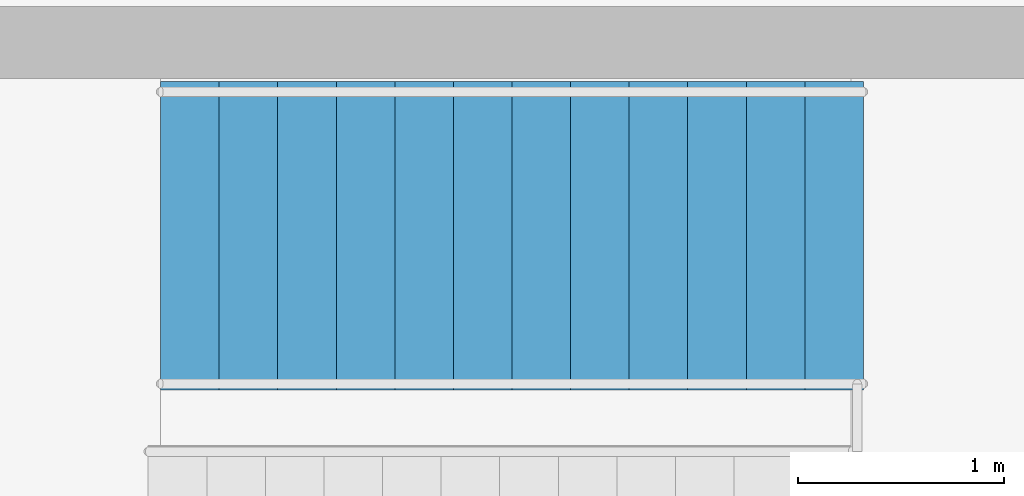
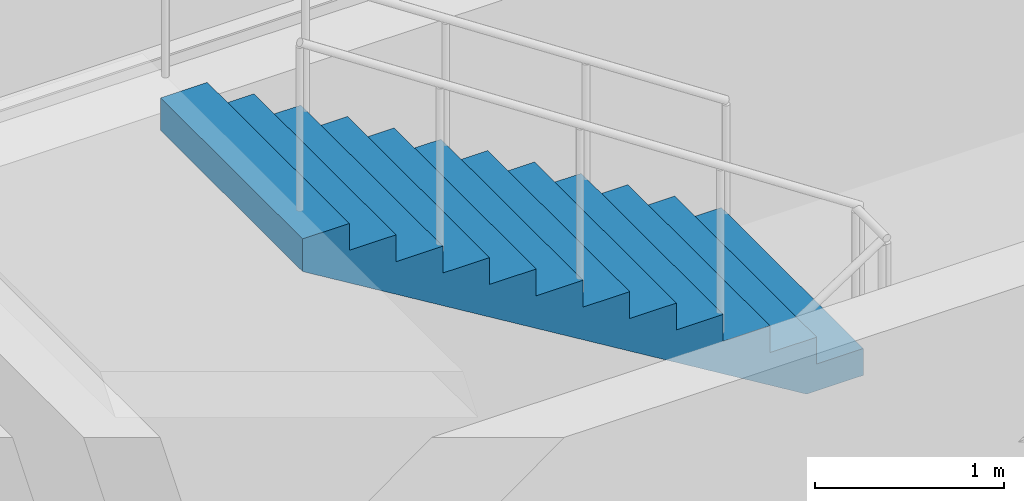
# One storey, part 74 of 85: 1 stair flight, 1 element without a shape of its own.
"""IFC4 building model written with IfcOpenShell, lengths in metres."""

from ifc_helpers import new_model, si_unit, direction, frame, origin, place, context, subcontext, project, spatial, polyline, outline, extrude, material, type_object, element, aggregate, save


model = new_model("IFC4")

# Units and contexts
model_context = context("Model", 3, precision=1e-05, world=origin(), true_north=direction((0.0, 1.0)))
body_context = subcontext(model_context, "Body", "Model", "MODEL_VIEW")
ifc_project = project(units=[si_unit("LENGTHUNIT", "METRE"), si_unit("AREAUNIT", "SQUARE_METRE"), si_unit("VOLUMEUNIT", "CUBIC_METRE"), si_unit("PLANEANGLEUNIT", "RADIAN"), si_unit("MASSUNIT", "GRAM", prefix="KILO")], contexts=[model_context])

# Site, building, storey
site_placement = place(None, origin())
site = spatial("IfcSite", under=ifc_project, at=site_placement, CompositionType="ELEMENT")
building_placement = place(site_placement, origin())
building = spatial("IfcBuilding", under=site, at=building_placement, Name="Candilejo Ridge Gondola Terminal", CompositionType="ELEMENT")
storey_placement = place(building_placement, frame((0.0, 0.0, 4.5)))
storey = spatial("IfcBuildingStorey", under=building, at=storey_placement, Name="L01", CompositionType="ELEMENT", Elevation=4.5)

# Stair, stair flight
ifc_material_1 = material(Name="Concrete f'c 35 MPa (C35/45)", Category="concrete")
stair_type = type_object("IfcStairType", Name="STR-STAIR-1500-4500", PredefinedType="HALF_TURN_STAIR", material=ifc_material_1)
stair_placement = place(storey_placement, origin())
stair = element("IfcStair", 1, at=stair_placement, inside=storey, type_object=stair_type, Name="Enclosed fire exit stair ST-V5B-L01", PredefinedType="HALF_TURN_STAIR")
ifc_material_2 = material(Name="Concrete f'c 35 MPa (C35/45)", Category="concrete")
stair_flight_type = type_object("IfcStairFlightType", Name="STR-FLIGHT-CORE-1500", PredefinedType="STRAIGHT", material=ifc_material_2)
stair_flight_placement = place(storey_placement, frame((155.780029296875, 117.760009765625, 2.25), z_axis=(0.0, 0.0, 1.0), x_axis=(-1.0, 0.0, 0.0)))
stair_flight = element("IfcStairFlight", 2, at=stair_flight_placement, type_object=stair_flight_type, Name="Stair flight ST-V5B-F02", NumberOfRisers=13, NumberOfTreads=12, PredefinedType="STRAIGHT", RiserHeight=0.17308, TreadLength=0.285, context=body_context, shape_type="SweptSolid", body=[
    extrude(outline(polyline([(0.0, 0.0), (0.0, 0.173095703125), (0.284912109375, 0.173095703125), (0.284912109375, 0.34619140625), (0.570068359375, 0.34619140625), (0.570068359375, 0.519287109375), (0.85498046875, 0.519287109375), (0.85498046875, 0.6923828125), (1.139892578125, 0.6923828125), (1.139892578125, 0.865478515625), (1.425048828125, 0.865478515625), (1.425048828125, 1.03857421875), (1.7099609375, 1.03857421875), (1.7099609375, 1.211669921875), (1.9951171875, 1.211669921875), (1.9951171875, 1.384521484375), (2.280029296875, 1.384521484375), (2.280029296875, 1.5576171875), (2.56494140625, 1.5576171875), (2.56494140625, 1.730712890625), (2.85009765625, 1.730712890625), (2.85009765625, 1.90380859375), (3.135009765625, 1.90380859375), (3.135009765625, 2.076904296875), (3.419921875, 2.076904296875), (3.419921875, 2.25), (3.419921875, 1.866455078125), (0.3466796875, 0.0), (0.0, 0.0)])), frame((0.0, 0.75, 0.0), z_axis=(0.0, -1.0, 0.0), x_axis=(1.0, 0.0, 0.0)), (0.0, 0.0, 1.0), 1.5),
])
aggregate(stair, [stair_flight])

save(model, "model.ifc")
